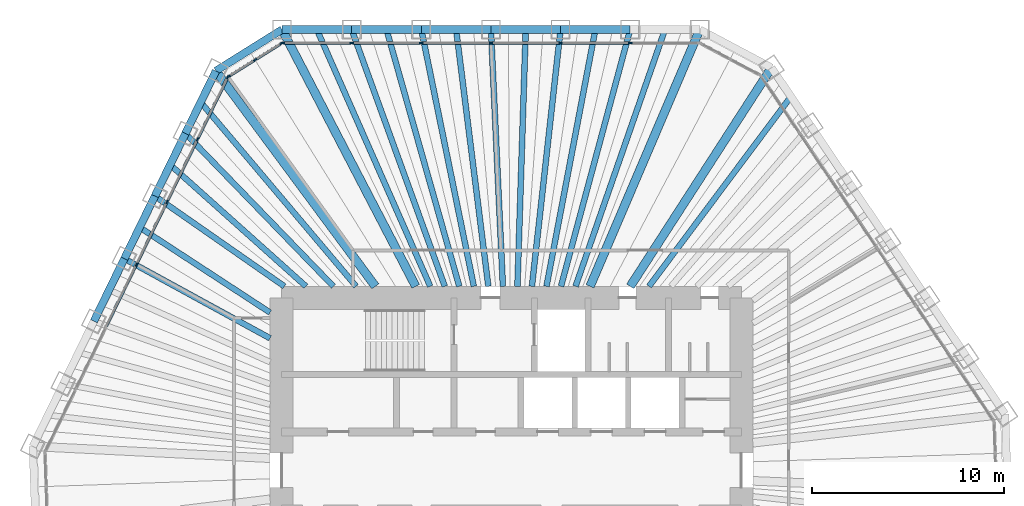
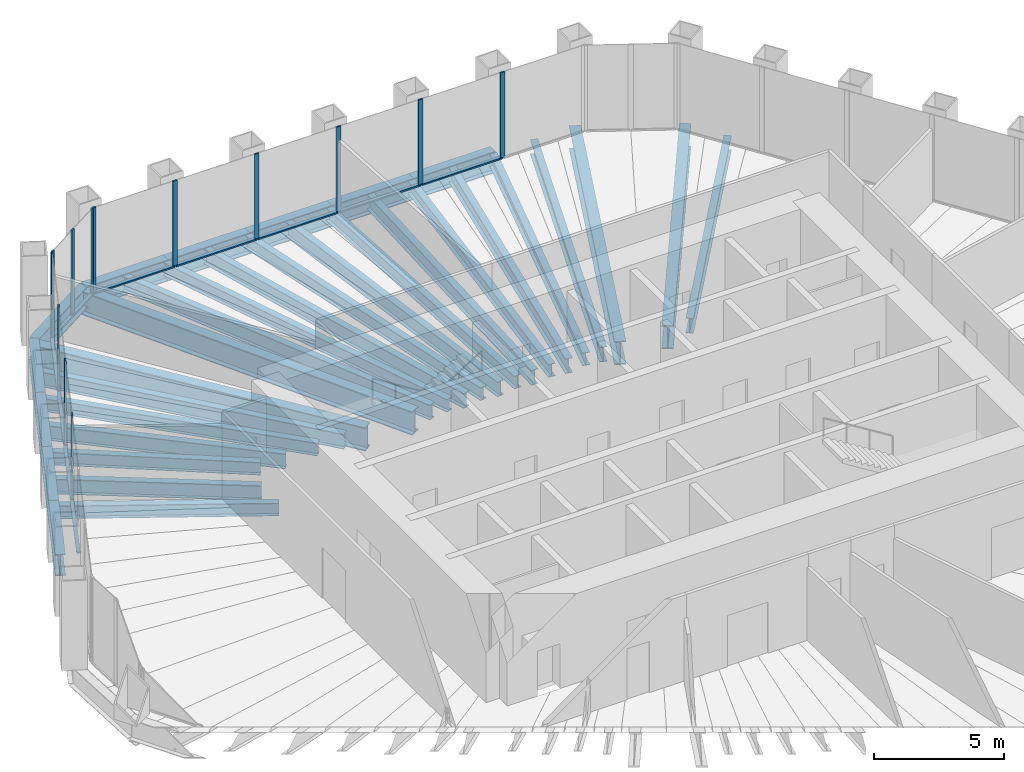
# One storey, part 6 of 13: 32 beams, 24 members, 3 elements without a shape of their own.
"""IFC4 building model written with IfcOpenShell, lengths in metres."""

from ifc_helpers import new_model, si_unit, direction, frame, origin, origin_2d, place, context, subcontext, project, spatial, rectangle, i_section, extrude, material, material_profile, profile_set, type_object, element, aggregate, save


model = new_model("IFC4")

# Units and contexts
model_context = context("Model", 3, precision=1e-05, world=origin(), true_north=direction((0.0, 1.0)))
body_context = subcontext(model_context, "Body", "Model", "MODEL_VIEW")
ifc_project = project(units=[si_unit("LENGTHUNIT", "METRE"), si_unit("AREAUNIT", "SQUARE_METRE"), si_unit("VOLUMEUNIT", "CUBIC_METRE"), si_unit("PLANEANGLEUNIT", "RADIAN"), si_unit("MASSUNIT", "GRAM", prefix="KILO")], contexts=[model_context])

# Site, building, storey
site_placement = place(None, origin())
site = spatial("IfcSite", under=ifc_project, at=site_placement, CompositionType="ELEMENT")
building_placement = place(site_placement, origin())
building = spatial("IfcBuilding", under=site, at=building_placement, Name="Qingtian Harvest Tower", CompositionType="ELEMENT")
storey_placement = place(building_placement, frame((0.0, 0.0, 230.800048828125)))
storey = spatial("IfcBuildingStorey", under=building, at=storey_placement, Name="L50", CompositionType="ELEMENT", Elevation=230.800048828125)

# Beams
ifc_material_1 = material(Name="Steel SM570MC", Category="steel")
ifc_material_profile_1 = material_profile(ifc_material_1, i_section(OverallWidth=0.449951171875, OverallDepth=1.10009765625, WebThickness=0.02197265625, FlangeThickness=0.044921875, at=origin_2d()), Name="H1100x450x22x45")
ifc_profile_set_1 = profile_set([ifc_material_profile_1], Name="Steel SM570MC")
beam_type_1 = type_object("IfcBeamType", Name="Corner floor beam FB8 H1100x450x22x45", PredefinedType="BEAM", material=ifc_profile_set_1)
beam_1_placement = place(storey_placement, frame((-11.971923828125, 23.0, -0.719970703125), z_axis=(0.461712460868, -0.887029651973, 0.0), x_axis=(0.887029651973, 0.461712460868, 0.0)))
element("IfcBeam", 1, at=beam_1_placement, inside=storey, type_object=beam_type_1, Name="Floor beam FB8 N0", PredefinedType="BEAM", context=body_context, shape_type="SweptSolid", body=[
    extrude(i_section(OverallWidth=0.449951171875, OverallDepth=1.10009765625, WebThickness=0.02197265625, FlangeThickness=0.044921875, at=origin_2d()), origin(), (0.0, 0.0, 1.0), 15.1064453125),
])
beam_2_placement = place(storey_placement, frame((9.829345703125, 23.0, -0.719970703125), z_axis=(-0.392976835482, -0.91954837109, 0.0), x_axis=(0.91954837109, -0.392976835482, 0.0)))
element("IfcBeam", 2, at=beam_2_placement, inside=storey, type_object=beam_type_1, Name="Floor beam FB8 N6", PredefinedType="BEAM", context=body_context, shape_type="SweptSolid", body=[
    extrude(i_section(OverallWidth=0.449951171875, OverallDepth=1.10009765625, WebThickness=0.02197265625, FlangeThickness=0.044921875, at=origin_2d()), origin(), (0.0, 0.0, 1.0), 14.572265625),
])
beam_3_placement = place(storey_placement, frame((13.5712890625, 21.01025390625, -0.719970703125), z_axis=(-0.542593072822, -0.839995688873, 0.0), x_axis=(0.839995688873, -0.542593072822, 0.0)))
element("IfcBeam", 3, at=beam_3_placement, inside=storey, type_object=beam_type_1, Name="Floor beam FB8 NE0", PredefinedType="BEAM", context=body_context, shape_type="SweptSolid", body=[
    extrude(i_section(OverallWidth=0.449951171875, OverallDepth=1.10009765625, WebThickness=0.02197265625, FlangeThickness=0.044921875, at=origin_2d()), origin(), (0.0, 0.0, 1.0), 13.58349609375),
])
beam_4_placement = place(storey_placement, frame((-15.424072265625, 20.8427734375, -0.719970703125), z_axis=(0.594854284538, -0.803833552526, 0.0), x_axis=(0.803833552526, 0.594854284538, 0.0)))
element("IfcBeam", 4, at=beam_4_placement, inside=storey, type_object=beam_type_1, Name="Floor beam FB8 NW6", PredefinedType="BEAM", context=body_context, shape_type="SweptSolid", body=[
    extrude(i_section(OverallWidth=0.449951171875, OverallDepth=1.10009765625, WebThickness=0.02197265625, FlangeThickness=0.044921875, at=origin_2d()), origin(), (0.0, 0.0, 1.0), 13.986328125),
])
ifc_material_2 = material(Name="Steel SN490B", Category="steel")
ifc_material_profile_2 = material_profile(ifc_material_2, i_section(OverallWidth=0.300048828125, OverallDepth=0.60009765625, WebThickness=0.011962890625, FlangeThickness=0.02001953125, at=origin_2d()), Name="H600x300x12x20")
ifc_profile_set_2 = profile_set([ifc_material_profile_2], Name="Steel SN490B")
beam_type_2 = type_object("IfcBeamType", Name="Floor beam FB3 H600x300x12x20", PredefinedType="BEAM", material=ifc_profile_set_2)
beam_5_placement = place(storey_placement, frame((-8.33837890625, 23.0, -0.469970703125), z_axis=(0.340826952705, -0.94012604916, 0.0), x_axis=(0.94012604916, 0.340826952705, 0.0)))
element("IfcBeam", 5, at=beam_5_placement, inside=storey, type_object=beam_type_2, Name="Floor beam FB3 N1", PredefinedType="BEAM", context=body_context, shape_type="SweptSolid", body=[
    extrude(i_section(OverallWidth=0.300048828125, OverallDepth=0.60009765625, WebThickness=0.011962890625, FlangeThickness=0.02001953125, at=origin_2d()), origin(), (0.0, 0.0, 1.0), 14.25341796875),
])
beam_6_placement = place(storey_placement, frame((-4.704833984375, 23.0, -0.469970703125), z_axis=(0.200401687601, -0.979713817197, 0.0), x_axis=(0.979713817197, 0.200401687601, 0.0)))
element("IfcBeam", 6, at=beam_6_placement, inside=storey, type_object=beam_type_2, Name="Floor beam FB3 N2", PredefinedType="BEAM", context=body_context, shape_type="SweptSolid", body=[
    extrude(i_section(OverallWidth=0.300048828125, OverallDepth=0.60009765625, WebThickness=0.011962890625, FlangeThickness=0.02001953125, at=origin_2d()), origin(), (0.0, 0.0, 1.0), 13.67724609375),
])
beam_7_placement = place(storey_placement, frame((-1.0712890625, 23.0, -0.469970703125), z_axis=(0.04651883736, -0.998917412888, 0.0), x_axis=(0.998917412888, 0.04651883736, 0.0)))
element("IfcBeam", 7, at=beam_7_placement, inside=storey, type_object=beam_type_2, Name="Floor beam FB3 N3", PredefinedType="BEAM", context=body_context, shape_type="SweptSolid", body=[
    extrude(i_section(OverallWidth=0.300048828125, OverallDepth=0.60009765625, WebThickness=0.011962890625, FlangeThickness=0.02001953125, at=origin_2d()), origin(), (0.0, 0.0, 1.0), 13.414306640625),
])
beam_8_placement = place(storey_placement, frame((2.562255859375, 23.0, -0.469970703125), z_axis=(-0.110727645803, -0.993850787822, 0.0), x_axis=(0.993850787822, -0.110727645803, 0.0)))
element("IfcBeam", 8, at=beam_8_placement, inside=storey, type_object=beam_type_2, Name="Floor beam FB3 N4", PredefinedType="BEAM", context=body_context, shape_type="SweptSolid", body=[
    extrude(i_section(OverallWidth=0.300048828125, OverallDepth=0.60009765625, WebThickness=0.011962890625, FlangeThickness=0.02001953125, at=origin_2d()), origin(), (0.0, 0.0, 1.0), 13.48291015625),
])
beam_9_placement = place(storey_placement, frame((6.19580078125, 23.0, -0.469970703125), z_axis=(-0.260121100906, -0.965576000563, 0.0), x_axis=(0.965576000563, -0.260121100906, 0.0)))
element("IfcBeam", 9, at=beam_9_placement, inside=storey, type_object=beam_type_2, Name="Floor beam FB3 N5", PredefinedType="BEAM", context=body_context, shape_type="SweptSolid", body=[
    extrude(i_section(OverallWidth=0.300048828125, OverallDepth=0.60009765625, WebThickness=0.011962890625, FlangeThickness=0.02001953125, at=origin_2d()), origin(), (0.0, 0.0, 1.0), 13.877685546875),
])
beam_10_placement = place(storey_placement, frame((-20.20263671875, 11.04541015625, -0.469970703125), z_axis=(0.87742673539, -0.479710666988, 0.0), x_axis=(0.479710666988, 0.87742673539, 0.0)))
element("IfcBeam", 10, at=beam_10_placement, inside=storey, type_object=beam_type_2, Name="Floor beam FB3 NW3", PredefinedType="BEAM", context=body_context, shape_type="SweptSolid", body=[
    extrude(i_section(OverallWidth=0.300048828125, OverallDepth=0.60009765625, WebThickness=0.011962890625, FlangeThickness=0.02001953125, at=origin_2d()), origin(), (0.0, 0.0, 1.0), 8.66455078125),
])
beam_11_placement = place(storey_placement, frame((-18.60986328125, 14.311279296875, -0.469970703125), z_axis=(0.820407854234, -0.571778762032, 0.0), x_axis=(0.571778762032, 0.820407854234, 0.0)))
element("IfcBeam", 11, at=beam_11_placement, inside=storey, type_object=beam_type_2, Name="Floor beam FB3 NW4", PredefinedType="BEAM", context=body_context, shape_type="SweptSolid", body=[
    extrude(i_section(OverallWidth=0.300048828125, OverallDepth=0.60009765625, WebThickness=0.011962890625, FlangeThickness=0.02001953125, at=origin_2d()), origin(), (0.0, 0.0, 1.0), 8.239501953125),
])
beam_12_placement = place(storey_placement, frame((-17.016845703125, 17.5771484375, -0.469970703125), z_axis=(0.695569024353, -0.718459276759, 0.0), x_axis=(0.718459276759, 0.695569024353, 0.0)))
element("IfcBeam", 12, at=beam_12_placement, inside=storey, type_object=beam_type_2, Name="Floor beam FB3 NW5", PredefinedType="BEAM", context=body_context, shape_type="SweptSolid", body=[
    extrude(i_section(OverallWidth=0.300048828125, OverallDepth=0.60009765625, WebThickness=0.011962890625, FlangeThickness=0.02001953125, at=origin_2d()), origin(), (0.0, 0.0, 1.0), 11.10302734375),
])
ifc_material_3 = material(Name="Steel SN490B", Category="steel")
ifc_material_profile_3 = material_profile(ifc_material_3, i_section(OverallWidth=0.300048828125, OverallDepth=0.699951171875, WebThickness=0.012939453125, FlangeThickness=0.02392578125, at=origin_2d()), Name="H700x300x13x24")
ifc_profile_set_3 = profile_set([ifc_material_profile_3], Name="Steel SN490B")
beam_type_3 = type_object("IfcBeamType", Name="Floor joist J2 H700x300x13x24", PredefinedType="JOIST", material=ifc_profile_set_3)
beam_13_placement = place(storey_placement, frame((-10.1552734375, 23.0, -0.52001953125), z_axis=(0.40391347792, -0.914797191925, 0.0), x_axis=(0.914797191925, 0.40391347792, 0.0)))
element("IfcBeam", 13, at=beam_13_placement, inside=storey, type_object=beam_type_3, Name="Floor joist J2 N0", PredefinedType="JOIST", context=body_context, shape_type="SweptSolid", body=[
    extrude(i_section(OverallWidth=0.300048828125, OverallDepth=0.699951171875, WebThickness=0.012939453125, FlangeThickness=0.02392578125, at=origin_2d()), origin(), (0.0, 0.0, 1.0), 14.64794921875),
])
beam_14_placement = place(storey_placement, frame((-6.521728515625, 23.0, -0.52001953125), z_axis=(0.272796737564, -0.962071691702, 0.0), x_axis=(0.962071691702, 0.272796737564, 0.0)))
element("IfcBeam", 14, at=beam_14_placement, inside=storey, type_object=beam_type_3, Name="Floor joist J2 N1", PredefinedType="JOIST", context=body_context, shape_type="SweptSolid", body=[
    extrude(i_section(OverallWidth=0.300048828125, OverallDepth=0.699951171875, WebThickness=0.012939453125, FlangeThickness=0.02392578125, at=origin_2d()), origin(), (0.0, 0.0, 1.0), 13.92822265625),
])
beam_15_placement = place(storey_placement, frame((-2.88818359375, 23.0, -0.52001953125), z_axis=(0.124590949529, -0.992208191508, 0.0), x_axis=(0.992208191508, 0.124590949529, 0.0)))
element("IfcBeam", 15, at=beam_15_placement, inside=storey, type_object=beam_type_3, Name="Floor joist J2 N2", PredefinedType="JOIST", context=body_context, shape_type="SweptSolid", body=[
    extrude(i_section(OverallWidth=0.300048828125, OverallDepth=0.699951171875, WebThickness=0.012939453125, FlangeThickness=0.02392578125, at=origin_2d()), origin(), (0.0, 0.0, 1.0), 13.505126953125),
])
beam_16_placement = place(storey_placement, frame((0.745361328125, 23.0, -0.52001953125), z_axis=(-0.032395624487, -0.99947512401, 0.0), x_axis=(0.99947512401, -0.032395624487, 0.0)))
element("IfcBeam", 16, at=beam_16_placement, inside=storey, type_object=beam_type_3, Name="Floor joist J2 N3", PredefinedType="JOIST", context=body_context, shape_type="SweptSolid", body=[
    extrude(i_section(OverallWidth=0.300048828125, OverallDepth=0.699951171875, WebThickness=0.012939453125, FlangeThickness=0.02392578125, at=origin_2d()), origin(), (0.0, 0.0, 1.0), 13.406982421875),
])
beam_17_placement = place(storey_placement, frame((4.37890625, 23.0, -0.52001953125), z_axis=(-0.187034797062, -0.982353289142, 0.0), x_axis=(0.982353289142, -0.187034797062, 0.0)))
element("IfcBeam", 17, at=beam_17_placement, inside=storey, type_object=beam_type_3, Name="Floor joist J2 N4", PredefinedType="JOIST", context=body_context, shape_type="SweptSolid", body=[
    extrude(i_section(OverallWidth=0.300048828125, OverallDepth=0.699951171875, WebThickness=0.012939453125, FlangeThickness=0.02392578125, at=origin_2d()), origin(), (0.0, 0.0, 1.0), 13.640625),
])
beam_18_placement = place(storey_placement, frame((8.012451171875, 23.0, -0.52001953125), z_axis=(-0.328969033283, -0.944340709247, 0.0), x_axis=(0.944340709247, -0.328969033283, 0.0)))
element("IfcBeam", 18, at=beam_18_placement, inside=storey, type_object=beam_type_3, Name="Floor joist J2 N5", PredefinedType="JOIST", context=body_context, shape_type="SweptSolid", body=[
    extrude(i_section(OverallWidth=0.300048828125, OverallDepth=0.699951171875, WebThickness=0.012939453125, FlangeThickness=0.02392578125, at=origin_2d()), origin(), (0.0, 0.0, 1.0), 14.189697265625),
])
beam_19_placement = place(storey_placement, frame((14.58740234375, 19.504150390625, -0.52001953125), z_axis=(-0.598935081494, -0.800797582511, 0.0), x_axis=(0.800797582511, -0.598935081494, 0.0)))
element("IfcBeam", 19, at=beam_19_placement, inside=storey, type_object=beam_type_3, Name="Floor joist J2 NE0", PredefinedType="JOIST", context=body_context, shape_type="SweptSolid", body=[
    extrude(i_section(OverallWidth=0.300048828125, OverallDepth=0.699951171875, WebThickness=0.012939453125, FlangeThickness=0.02392578125, at=origin_2d()), origin(), (0.0, 0.0, 1.0), 12.36767578125),
])
beam_20_placement = place(storey_placement, frame((-19.40625, 12.678466796875, -0.52001953125), z_axis=(0.837161066611, -0.546956441182, 0.0), x_axis=(0.546956441182, 0.837161066611, 0.0)))
element("IfcBeam", 20, at=beam_20_placement, inside=storey, type_object=beam_type_3, Name="Floor joist J2 NW3", PredefinedType="JOIST", context=body_context, shape_type="SweptSolid", body=[
    extrude(i_section(OverallWidth=0.300048828125, OverallDepth=0.699951171875, WebThickness=0.012939453125, FlangeThickness=0.02392578125, at=origin_2d()), origin(), (0.0, 0.0, 1.0), 8.130126953125),
])
beam_21_placement = place(storey_placement, frame((-17.813232421875, 15.944091796875, -0.52001953125), z_axis=(0.745126517589, -0.66692313859, 0.0), x_axis=(0.66692313859, 0.745126517589, 0.0)))
element("IfcBeam", 21, at=beam_21_placement, inside=storey, type_object=beam_type_3, Name="Floor joist J2 NW4", PredefinedType="JOIST", context=body_context, shape_type="SweptSolid", body=[
    extrude(i_section(OverallWidth=0.300048828125, OverallDepth=0.699951171875, WebThickness=0.012939453125, FlangeThickness=0.02392578125, at=origin_2d()), origin(), (0.0, 0.0, 1.0), 9.512451171875),
])
beam_22_placement = place(storey_placement, frame((-16.220458984375, 19.2099609375, -0.52001953125), z_axis=(0.645157903911, -0.764049264787, 0.0), x_axis=(0.764049264787, 0.645157903911, 0.0)))
element("IfcBeam", 22, at=beam_22_placement, inside=storey, type_object=beam_type_3, Name="Floor joist J2 NW5", PredefinedType="JOIST", context=body_context, shape_type="SweptSolid", body=[
    extrude(i_section(OverallWidth=0.300048828125, OverallDepth=0.699951171875, WebThickness=0.012939453125, FlangeThickness=0.02392578125, at=origin_2d()), origin(), (0.0, 0.0, 1.0), 12.57763671875),
])

# Curtain wall, members
ifc_material_4 = material(Name="Bronze-anodised aluminium curtain wall", Category="aluminium")
curtain_wall_type = type_object("IfcCurtainWallType", Name="Curtain wall CW4 office", PredefinedType="USERDEFINED", material=ifc_material_4)
curtain_wall_1_placement = place(storey_placement, origin())
curtain_wall_1 = element("IfcCurtainWall", 23, at=curtain_wall_1_placement, inside=storey, type_object=curtain_wall_type, Name="Curtain wall CW4 L50 N0-5", ObjectType="RECESSED CURTAIN WALL", PredefinedType="USERDEFINED")
ifc_material_5 = material(Name="Bronze-anodised aluminium mullion", Category="aluminium")
ifc_material_profile_4 = material_profile(ifc_material_5, rectangle(XDim=0.06494140625, YDim=0.199951171875, at=origin_2d()), Name="AL 65x200")
ifc_profile_set_4 = profile_set([ifc_material_profile_4], Name="Bronze-anodised aluminium mullion")
member_type_1 = type_object("IfcMemberType", Name="Mullion CWM 65x200", PredefinedType="MULLION", material=ifc_profile_set_4)
member_1_placement = place(storey_placement, frame((-11.939453125, 22.300048828125, 0.0), z_axis=(0.0, 0.0, 1.0), x_axis=(0.0, 1.0, 0.0)))
member_1 = element("IfcMember", 24, at=member_1_placement, type_object=member_type_1, Name="CW4 mullion 1", PredefinedType="MULLION", context=body_context, shape_type="SweptSolid", body=[
    extrude(rectangle(XDim=0.06494140625, YDim=0.199951171875, at=origin_2d()), origin(), (0.0, 0.0, 1.0), 4.030029296875),
])
member_2_placement = place(storey_placement, frame((-8.33837890625, 22.300048828125, 0.0), z_axis=(0.0, 0.0, 1.0), x_axis=(0.0, 1.0, 0.0)))
member_2 = element("IfcMember", 25, at=member_2_placement, type_object=member_type_1, Name="CW4 mullion 2", PredefinedType="MULLION", context=body_context, shape_type="SweptSolid", body=[
    extrude(rectangle(XDim=0.06494140625, YDim=0.199951171875, at=origin_2d()), origin(), (0.0, 0.0, 1.0), 4.030029296875),
])
member_3_placement = place(storey_placement, frame((-4.704833984375, 22.300048828125, 0.0), z_axis=(0.0, 0.0, 1.0), x_axis=(0.0, 1.0, 0.0)))
member_3 = element("IfcMember", 26, at=member_3_placement, type_object=member_type_1, Name="CW4 mullion 3", PredefinedType="MULLION", context=body_context, shape_type="SweptSolid", body=[
    extrude(rectangle(XDim=0.06494140625, YDim=0.199951171875, at=origin_2d()), origin(), (0.0, 0.0, 1.0), 4.030029296875),
])
member_4_placement = place(storey_placement, frame((-1.0712890625, 22.300048828125, 0.0), z_axis=(0.0, 0.0, 1.0), x_axis=(0.0, 1.0, 0.0)))
member_4 = element("IfcMember", 27, at=member_4_placement, type_object=member_type_1, Name="CW4 mullion 4", PredefinedType="MULLION", context=body_context, shape_type="SweptSolid", body=[
    extrude(rectangle(XDim=0.06494140625, YDim=0.199951171875, at=origin_2d()), origin(), (0.0, 0.0, 1.0), 4.030029296875),
])
member_5_placement = place(storey_placement, frame((2.562255859375, 22.300048828125, 0.0), z_axis=(0.0, 0.0, 1.0), x_axis=(0.0, 1.0, 0.0)))
member_5 = element("IfcMember", 28, at=member_5_placement, type_object=member_type_1, Name="CW4 mullion 5", PredefinedType="MULLION", context=body_context, shape_type="SweptSolid", body=[
    extrude(rectangle(XDim=0.06494140625, YDim=0.199951171875, at=origin_2d()), origin(), (0.0, 0.0, 1.0), 4.030029296875),
])
member_6_placement = place(storey_placement, frame((6.19580078125, 22.300048828125, 0.0), z_axis=(0.0, 0.0, 1.0), x_axis=(0.0, 1.0, 0.0)))
member_6 = element("IfcMember", 29, at=member_6_placement, type_object=member_type_1, Name="CW4 mullion 6", PredefinedType="MULLION", context=body_context, shape_type="SweptSolid", body=[
    extrude(rectangle(XDim=0.06494140625, YDim=0.199951171875, at=origin_2d()), origin(), (0.0, 0.0, 1.0), 4.030029296875),
])

curtain_wall_2_placement = place(storey_placement, origin())
curtain_wall_2 = element("IfcCurtainWall", 30, at=curtain_wall_2_placement, inside=storey, type_object=curtain_wall_type, Name="Curtain wall CW4 L50 NW0-5", ObjectType="RECESSED CURTAIN WALL", PredefinedType="USERDEFINED")
member_7_placement = place(storey_placement, frame((-19.573486328125, 10.738525390625, 0.0), z_axis=(0.0, 0.0, 1.0), x_axis=(-0.898794046299, 0.438371146789, 0.0)))
member_7 = element("IfcMember", 31, at=member_7_placement, type_object=member_type_1, Name="CW4 mullion 4", PredefinedType="MULLION", context=body_context, shape_type="SweptSolid", body=[
    extrude(rectangle(XDim=0.06494140625, YDim=0.199951171875, at=origin_2d()), origin(), (0.0, 0.0, 1.0), 4.030029296875),
])
member_8_placement = place(storey_placement, frame((-17.980712890625, 14.00439453125, 0.0), z_axis=(0.0, 0.0, 1.0), x_axis=(-0.898794046299, 0.438371146789, 0.0)))
member_8 = element("IfcMember", 32, at=member_8_placement, type_object=member_type_1, Name="CW4 mullion 5", PredefinedType="MULLION", context=body_context, shape_type="SweptSolid", body=[
    extrude(rectangle(XDim=0.06494140625, YDim=0.199951171875, at=origin_2d()), origin(), (0.0, 0.0, 1.0), 4.030029296875),
])
member_9_placement = place(storey_placement, frame((-16.3876953125, 17.270263671875, 0.0), z_axis=(0.0, 0.0, 1.0), x_axis=(-0.898794046299, 0.438371146789, 0.0)))
member_9 = element("IfcMember", 33, at=member_9_placement, type_object=member_type_1, Name="CW4 mullion 6", PredefinedType="MULLION", context=body_context, shape_type="SweptSolid", body=[
    extrude(rectangle(XDim=0.06494140625, YDim=0.199951171875, at=origin_2d()), origin(), (0.0, 0.0, 1.0), 4.030029296875),
])
member_10_placement = place(storey_placement, frame((-14.80908203125, 20.5068359375, 0.0), z_axis=(0.0, 0.0, 1.0), x_axis=(-0.898794046299, 0.438371146789, 0.0)))
member_10 = element("IfcMember", 34, at=member_10_placement, type_object=member_type_1, Name="CW4 mullion 7", PredefinedType="MULLION", context=body_context, shape_type="SweptSolid", body=[
    extrude(rectangle(XDim=0.06494140625, YDim=0.199951171875, at=origin_2d()), origin(), (0.0, 0.0, 1.0), 4.030029296875),
])

curtain_wall_3_placement = place(storey_placement, origin())
curtain_wall_3 = element("IfcCurtainWall", 35, at=curtain_wall_3_placement, inside=storey, type_object=curtain_wall_type, Name="Curtain wall CW4 L50 NWC", ObjectType="RECESSED CURTAIN WALL", PredefinedType="USERDEFINED")
member_11_placement = place(storey_placement, frame((-14.767333984375, 20.55322265625, 0.0), z_axis=(0.0, 0.0, 1.0), x_axis=(-0.529919264233, 0.848048096156, 0.0)))
member_11 = element("IfcMember", 36, at=member_11_placement, type_object=member_type_1, Name="CW4 mullion 1", PredefinedType="MULLION", context=body_context, shape_type="SweptSolid", body=[
    extrude(rectangle(XDim=0.06494140625, YDim=0.199951171875, at=origin_2d()), origin(), (0.0, 0.0, 1.0), 4.030029296875),
])
member_12_placement = place(storey_placement, frame((-13.383544921875, 21.41796875, 0.0), z_axis=(0.0, 0.0, 1.0), x_axis=(-0.529919264233, 0.848048096156, 0.0)))
member_12 = element("IfcMember", 37, at=member_12_placement, type_object=member_type_1, Name="CW4 mullion 2", PredefinedType="MULLION", context=body_context, shape_type="SweptSolid", body=[
    extrude(rectangle(XDim=0.06494140625, YDim=0.199951171875, at=origin_2d()), origin(), (0.0, 0.0, 1.0), 4.030029296875),
])
member_13_placement = place(storey_placement, frame((-11.99951171875, 22.28271484375, 0.0), z_axis=(0.0, 0.0, 1.0), x_axis=(-0.529919264233, 0.848048096156, 0.0)))
member_13 = element("IfcMember", 38, at=member_13_placement, type_object=member_type_1, Name="CW4 mullion 3", PredefinedType="MULLION", context=body_context, shape_type="SweptSolid", body=[
    extrude(rectangle(XDim=0.06494140625, YDim=0.199951171875, at=origin_2d()), origin(), (0.0, 0.0, 1.0), 4.030029296875),
])

# Beams
ifc_material_6 = material(Name="Steel SN490B", Category="steel")
ifc_material_profile_5 = material_profile(ifc_material_6, i_section(OverallWidth=0.39990234375, OverallDepth=1.0, WebThickness=0.01904296875, FlangeThickness=0.035888671875, at=origin_2d()), Name="H1000x400x19x36")
ifc_profile_set_5 = profile_set([ifc_material_profile_5], Name="Steel SN490B")
beam_type_4 = type_object("IfcBeamType", Name="Spandrel beam SB3 H1000x400x19x36", PredefinedType="SPANDREL", material=ifc_profile_set_5)
for number, where, z_axis, x_axis, name in (
    (39, (-11.971923828125, 23.0, -0.5), (1.0, 0.0, 0.0), (0.0, 1.0, 0.0), "Spandrel SB3 N0"),
    (40, (-8.33837890625, 23.0, -0.5), (1.0, 0.0, 0.0), (0.0, 1.0, 0.0), "Spandrel SB3 N1"),
    (41, (-4.704833984375, 23.0, -0.5), (1.0, 0.0, 0.0), (0.0, 1.0, 0.0), "Spandrel SB3 N2"),
    (42, (-1.0712890625, 23.0, -0.5), (1.0, 0.0, 0.0), (0.0, 1.0, 0.0), "Spandrel SB3 N3"),
    (43, (2.562255859375, 23.0, -0.5), (1.0, 0.0, 0.0), (0.0, 1.0, 0.0), "Spandrel SB3 N4"),
    (44, (-21.79541015625, 7.779541015625, -0.5), (0.438349498419, 0.898804604592, 0.0), (-0.898804604592, 0.438349498419, 0.0), "Spandrel SB3 NW2"),
    (45, (-20.20263671875, 11.04541015625, -0.5), (0.438349498419, 0.898804604592, 0.0), (-0.898804604592, 0.438349498419, 0.0), "Spandrel SB3 NW3"),
):
    element("IfcBeam", number, at=place(storey_placement, frame(where, z_axis=z_axis, x_axis=x_axis)), inside=storey, type_object=beam_type_4, Name=name, PredefinedType="SPANDREL", context=body_context, shape_type="SweptSolid", body=[
        extrude(i_section(OverallWidth=0.39990234375, OverallDepth=1.0, WebThickness=0.01904296875, FlangeThickness=0.035888671875, at=origin_2d()), origin(), (0.0, 0.0, 1.0), 3.633544921875),
    ])
beam_23_placement = place(storey_placement, frame((-18.60986328125, 14.311279296875, -0.5), z_axis=(0.438403775684, 0.898778131391, 0.0), x_axis=(-0.898778131391, 0.438403775684, 0.0)))
element("IfcBeam", 46, at=beam_23_placement, inside=storey, type_object=beam_type_4, Name="Spandrel SB3 NW4", PredefinedType="SPANDREL", context=body_context, shape_type="SweptSolid", body=[
    extrude(i_section(OverallWidth=0.39990234375, OverallDepth=1.0, WebThickness=0.01904296875, FlangeThickness=0.035888671875, at=origin_2d()), origin(), (0.0, 0.0, 1.0), 3.6337890625),
])
beam_24_placement = place(storey_placement, frame((-17.016845703125, 17.5771484375, -0.5), z_axis=(0.43837597217, 0.898791692788, 0.0), x_axis=(-0.898791692788, 0.43837597217, 0.0)))
element("IfcBeam", 47, at=beam_24_placement, inside=storey, type_object=beam_type_4, Name="Spandrel SB3 NW5", PredefinedType="SPANDREL", context=body_context, shape_type="SweptSolid", body=[
    extrude(i_section(OverallWidth=0.39990234375, OverallDepth=1.0, WebThickness=0.01904296875, FlangeThickness=0.035888671875, at=origin_2d()), origin(), (0.0, 0.0, 1.0), 3.63330078125),
])
beam_25_placement = place(storey_placement, frame((-15.424072265625, 20.8427734375, -0.5), z_axis=(0.848038733752, 0.529934246919, 0.0), x_axis=(-0.529934246919, 0.848038733752, 0.0)))
element("IfcBeam", 48, at=beam_25_placement, inside=storey, type_object=beam_type_4, Name="Spandrel SB3 NWC", PredefinedType="SPANDREL", context=body_context, shape_type="SweptSolid", body=[
    extrude(i_section(OverallWidth=0.39990234375, OverallDepth=1.0, WebThickness=0.01904296875, FlangeThickness=0.035888671875, at=origin_2d()), origin(), (0.0, 0.0, 1.0), 4.07080078125),
])

# Member
ifc_material_7 = material(Name="Bronze-anodised aluminium transom", Category="aluminium")
ifc_material_profile_6 = material_profile(ifc_material_7, rectangle(XDim=0.14990234375, YDim=0.06494140625, at=origin_2d()), Name="AL 65x150")
ifc_profile_set_6 = profile_set([ifc_material_profile_6], Name="Bronze-anodised aluminium transom")
member_type_2 = type_object("IfcMemberType", Name="Transom CWT 65x150", PredefinedType="USERDEFINED", material=ifc_profile_set_6)
member_14_placement = place(storey_placement, frame((-11.906982421875, 22.300048828125, 0.032470703125), z_axis=(1.0, 0.0, 0.0), x_axis=(0.0, 1.0, 0.0)))
member_14 = element("IfcMember", 49, at=member_14_placement, type_object=member_type_2, Name="CW4 transom 1.1", ObjectType="TRANSOM", PredefinedType="USERDEFINED", context=body_context, shape_type="SweptSolid", body=[
    extrude(rectangle(XDim=0.14990234375, YDim=0.06494140625, at=origin_2d()), origin(), (0.0, 0.0, 1.0), 3.5361328125),
])

member_15_placement = place(storey_placement, frame((-8.305908203125, 22.300048828125, 0.032470703125), z_axis=(1.0, 0.0, 0.0), x_axis=(0.0, 1.0, 0.0)))
member_15 = element("IfcMember", 50, at=member_15_placement, type_object=member_type_2, Name="CW4 transom 2.1", ObjectType="TRANSOM", PredefinedType="USERDEFINED", context=body_context, shape_type="SweptSolid", body=[
    extrude(rectangle(XDim=0.14990234375, YDim=0.06494140625, at=origin_2d()), origin(), (0.0, 0.0, 1.0), 3.568603515625),
])

member_16_placement = place(storey_placement, frame((-4.67236328125, 22.300048828125, 0.032470703125), z_axis=(1.0, 0.0, 0.0), x_axis=(0.0, 1.0, 0.0)))
member_16 = element("IfcMember", 51, at=member_16_placement, type_object=member_type_2, Name="CW4 transom 3.1", ObjectType="TRANSOM", PredefinedType="USERDEFINED", context=body_context, shape_type="SweptSolid", body=[
    extrude(rectangle(XDim=0.14990234375, YDim=0.06494140625, at=origin_2d()), origin(), (0.0, 0.0, 1.0), 3.568603515625),
])

member_17_placement = place(storey_placement, frame((-1.038818359375, 22.300048828125, 0.032470703125), z_axis=(1.0, 0.0, 0.0), x_axis=(0.0, 1.0, 0.0)))
member_17 = element("IfcMember", 52, at=member_17_placement, type_object=member_type_2, Name="CW4 transom 4.1", ObjectType="TRANSOM", PredefinedType="USERDEFINED", context=body_context, shape_type="SweptSolid", body=[
    extrude(rectangle(XDim=0.14990234375, YDim=0.06494140625, at=origin_2d()), origin(), (0.0, 0.0, 1.0), 3.568603515625),
])

member_18_placement = place(storey_placement, frame((2.5947265625, 22.300048828125, 0.032470703125), z_axis=(1.0, 0.0, 0.0), x_axis=(0.0, 1.0, 0.0)))
member_18 = element("IfcMember", 53, at=member_18_placement, type_object=member_type_2, Name="CW4 transom 5.1", ObjectType="TRANSOM", PredefinedType="USERDEFINED", context=body_context, shape_type="SweptSolid", body=[
    extrude(rectangle(XDim=0.14990234375, YDim=0.06494140625, at=origin_2d()), origin(), (0.0, 0.0, 1.0), 3.568603515625),
])

aggregate(curtain_wall_1, [member_1, member_2, member_3, member_4, member_5, member_6, member_14, member_15, member_16, member_17, member_18])

member_19_placement = place(storey_placement, frame((-21.152099609375, 7.501953125, 0.032470703125), z_axis=(0.438380500422, 0.898789484167, 0.0), x_axis=(-0.898789484167, 0.438380500422, 0.0)))
member_19 = element("IfcMember", 54, at=member_19_placement, type_object=member_type_2, Name="CW4 transom 3.1", ObjectType="TRANSOM", PredefinedType="USERDEFINED", context=body_context, shape_type="SweptSolid", body=[
    extrude(rectangle(XDim=0.14990234375, YDim=0.06494140625, at=origin_2d()), origin(), (0.0, 0.0, 1.0), 3.568603515625),
])

member_20_placement = place(storey_placement, frame((-19.559326171875, 10.767822265625, 0.032470703125), z_axis=(0.438407456795, 0.898776335818, 0.0), x_axis=(-0.898776335818, 0.438407456795, 0.0)))
member_20 = element("IfcMember", 55, at=member_20_placement, type_object=member_type_2, Name="CW4 transom 4.1", ObjectType="TRANSOM", PredefinedType="USERDEFINED", context=body_context, shape_type="SweptSolid", body=[
    extrude(rectangle(XDim=0.14990234375, YDim=0.06494140625, at=origin_2d()), origin(), (0.0, 0.0, 1.0), 3.568603515625),
])

member_21_placement = place(storey_placement, frame((-17.96630859375, 14.03369140625, 0.032470703125), z_axis=(0.438352188226, 0.898803292761, 0.0), x_axis=(-0.898803292761, 0.438352188226, 0.0)))
member_21 = element("IfcMember", 56, at=member_21_placement, type_object=member_type_2, Name="CW4 transom 5.1", ObjectType="TRANSOM", PredefinedType="USERDEFINED", context=body_context, shape_type="SweptSolid", body=[
    extrude(rectangle(XDim=0.14990234375, YDim=0.06494140625, at=origin_2d()), origin(), (0.0, 0.0, 1.0), 3.568359375),
])

member_22_placement = place(storey_placement, frame((-16.37353515625, 17.29931640625, 0.032470703125), z_axis=(0.438354255898, 0.898802284341, 0.0), x_axis=(-0.898802284341, 0.438354255898, 0.0)))
member_22 = element("IfcMember", 57, at=member_22_placement, type_object=member_type_2, Name="CW4 transom 6.1", ObjectType="TRANSOM", PredefinedType="USERDEFINED", context=body_context, shape_type="SweptSolid", body=[
    extrude(rectangle(XDim=0.14990234375, YDim=0.06494140625, at=origin_2d()), origin(), (0.0, 0.0, 1.0), 3.5361328125),
])

aggregate(curtain_wall_2, [member_7, member_8, member_9, member_10, member_19, member_20, member_21, member_22])

member_23_placement = place(storey_placement, frame((-14.73974609375, 20.570556640625, 0.032470703125), z_axis=(0.848015812303, 0.529970925697, 0.0), x_axis=(-0.529970925697, 0.848015812303, 0.0)))
member_23 = element("IfcMember", 58, at=member_23_placement, type_object=member_type_2, Name="CW4 transom 1.1", ObjectType="TRANSOM", PredefinedType="USERDEFINED", context=body_context, shape_type="SweptSolid", body=[
    extrude(rectangle(XDim=0.14990234375, YDim=0.06494140625, at=origin_2d()), origin(), (0.0, 0.0, 1.0), 1.566650390625),
])

member_24_placement = place(storey_placement, frame((-13.35595703125, 21.435302734375, 0.032470703125), z_axis=(0.848059570903, 0.529900900357, 0.0), x_axis=(-0.529900900357, 0.848059570903, 0.0)))
member_24 = element("IfcMember", 59, at=member_24_placement, type_object=member_type_2, Name="CW4 transom 2.1", ObjectType="TRANSOM", PredefinedType="USERDEFINED", context=body_context, shape_type="SweptSolid", body=[
    extrude(rectangle(XDim=0.14990234375, YDim=0.06494140625, at=origin_2d()), origin(), (0.0, 0.0, 1.0), 1.56689453125),
])

aggregate(curtain_wall_3, [member_11, member_12, member_13, member_23, member_24])

save(model, "model.ifc")
